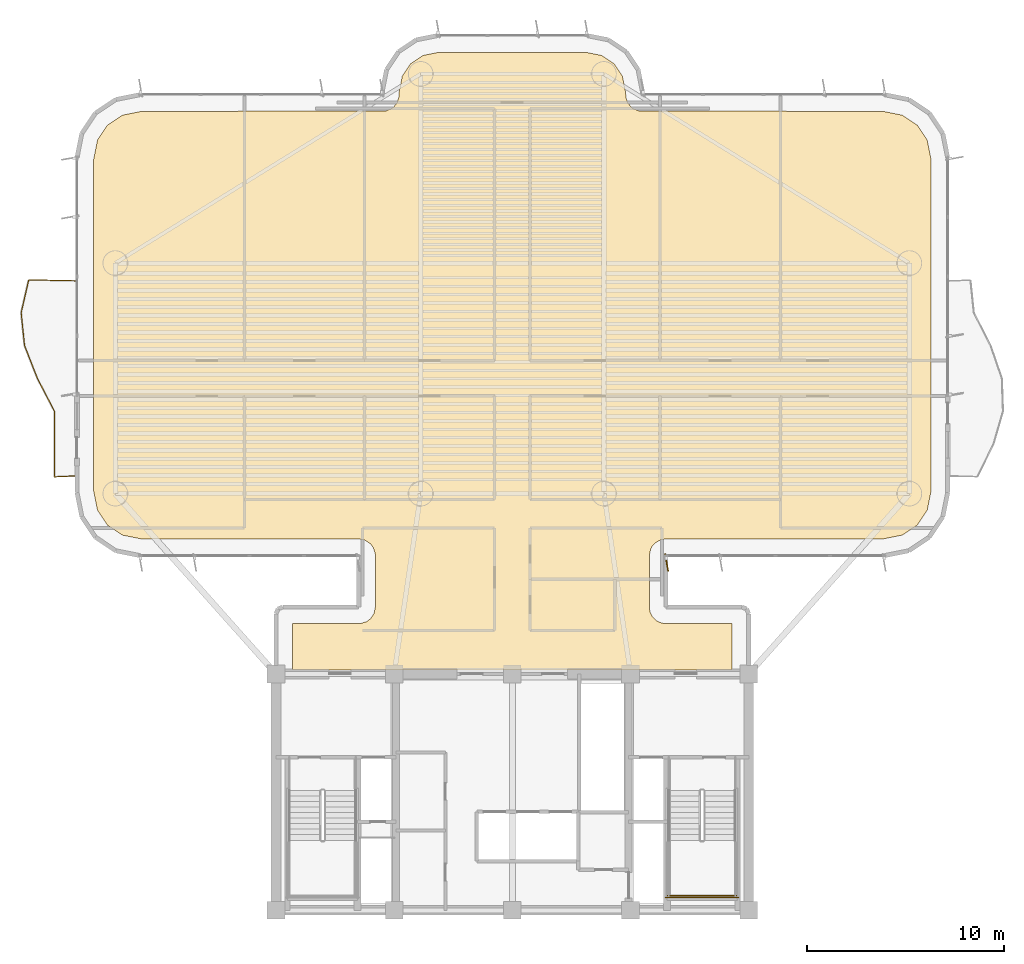
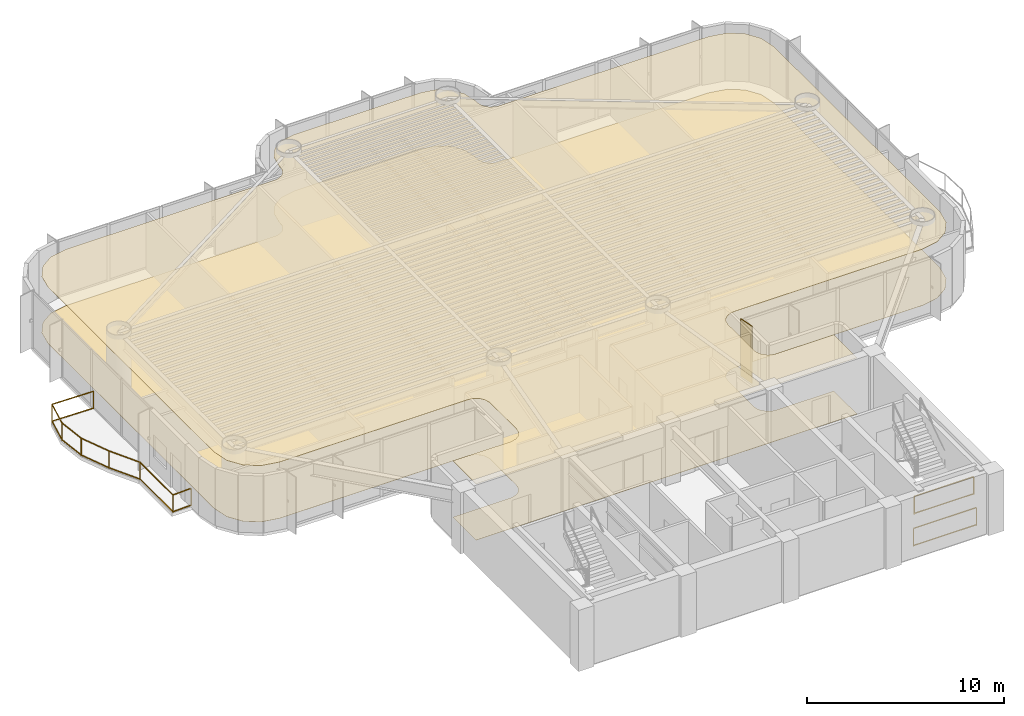
# One storey, part 14 of 16: 3 railings, 2 coverings, 1 shading device.
"""IFC4 building model written with IfcOpenShell, lengths in metres."""

from ifc_helpers import new_model, si_unit, direction, frame, origin, origin_2d, place, context, subcontext, project, spatial, polyline, rectangle, outline, extrude, source, transform, mapped, material, layer, layer_set, material_profile, profile_set, type_object, element, save


model = new_model("IFC4")

# Units and contexts
model_context = context("Model", 3, precision=1e-05, world=origin(), true_north=direction((0.0, 1.0)))
body_context = subcontext(model_context, "Body", "Model", "MODEL_VIEW")
ifc_project = project(units=[si_unit("LENGTHUNIT", "METRE"), si_unit("AREAUNIT", "SQUARE_METRE"), si_unit("VOLUMEUNIT", "CUBIC_METRE"), si_unit("PLANEANGLEUNIT", "RADIAN"), si_unit("MASSUNIT", "GRAM", prefix="KILO")], contexts=[model_context])

# Site, building, storey
site_placement = place(None, origin())
site = spatial("IfcSite", under=ifc_project, at=site_placement, CompositionType="ELEMENT")
building_placement = place(site_placement, origin())
building = spatial("IfcBuilding", under=site, at=building_placement, Name="Brelvock Crest Care Tower", CompositionType="ELEMENT")
storey_placement = place(building_placement, frame((0.0, 0.0, 108.719970703125)))
storey = spatial("IfcBuildingStorey", under=building, at=storey_placement, Name="L27", CompositionType="ELEMENT", Elevation=108.719970703125)

# Coverings
ifc_material_1 = material(Name="Mineral Fibre Acoustic Ceiling Tile", Category="gypsum")
ifc_layer_1 = layer(ifc_material_1, 0.02490234375, Name="COV-CLG1")
ifc_layer_set_1 = layer_set([ifc_layer_1], Name="Mineral Fibre Acoustic Ceiling Tile")
covering_type_1 = type_object("IfcCoveringType", Name="COV-CLG1", PredefinedType="CEILING", material=ifc_layer_set_1)
covering_1_placement = place(storey_placement, frame((0.0, 0.0, 3.47509765625)))
element("IfcCovering", 1, at=covering_1_placement, inside=storey, type_object=covering_type_1, Name="L27 Acoustic Suspended Ceiling 1", PredefinedType="CEILING", context=body_context, shape_type="SweptSolid", body=[
    extrude(outline(polyline([(24.85009765625, 18.199951171875), (47.14990234375, 18.199951171875), (47.14990234375, 20.550048828125), (43.716796875, 20.55419921875), (43.55322265625, 20.586669921875), (43.327880859375, 20.693359375), (43.09326171875, 20.927734375), (42.986572265625, 21.1533203125), (42.949951171875, 21.39990234375), (42.949951171875, 24.0), (43.0146484375, 24.3251953125), (43.09326171875, 24.47216796875), (43.2607421875, 24.656982421875), (43.55322265625, 24.8134765625), (43.800048828125, 24.85009765625), (54.81640625, 24.85009765625), (55.79296875, 25.044189453125), (56.5498046875, 25.550048828125), (57.0556640625, 26.30712890625), (57.25, 27.28369140625), (57.25, 44.1162109375), (57.0556640625, 45.093017578125), (56.5498046875, 45.849853515625), (55.79296875, 46.355712890625), (54.81640625, 46.550048828125), (42.43408203125, 46.56640625), (42.127685546875, 46.693359375), (41.9990234375, 46.799072265625), (41.850341796875, 46.999267578125), (41.766357421875, 47.234130859375), (41.75, 47.516357421875), (41.586181640625, 48.33984375), (41.1669921875, 48.967041015625), (40.539794921875, 49.38623046875), (39.71630859375, 49.550048828125), (32.28369140625, 49.550048828125), (31.460205078125, 49.38623046875), (30.8330078125, 48.967041015625), (30.413818359375, 48.33984375), (30.25, 47.516357421875), (30.233642578125, 47.234130859375), (30.149658203125, 46.999267578125), (30.0009765625, 46.799072265625), (29.872314453125, 46.693359375), (29.56591796875, 46.56640625), (17.18359375, 46.550048828125), (16.20703125, 46.355712890625), (15.4501953125, 45.849853515625), (14.9443359375, 45.093017578125), (14.75, 44.1162109375), (14.75, 27.28369140625), (14.9443359375, 26.30712890625), (15.4501953125, 25.550048828125), (16.20703125, 25.044189453125), (17.18359375, 24.85009765625), (28.199951171875, 24.85009765625), (28.525390625, 24.785400390625), (28.801025390625, 24.60107421875), (28.94970703125, 24.400634765625), (29.0458984375, 24.083251953125), (29.050048828125, 21.39990234375), (28.9853515625, 21.07470703125), (28.801025390625, 20.799072265625), (28.6005859375, 20.650390625), (28.283203125, 20.55419921875), (24.85009765625, 20.550048828125), (24.85009765625, 18.199951171875)])), origin(), (0.0, 0.0, 1.0), 0.02490234375),
])
ifc_material_2 = material(Name="Slip-Resistant Acoustic Vinyl Flooring", Category="finish")
ifc_layer_2 = layer(ifc_material_2, 0.014892578125, Name="COV-FLR1")
ifc_layer_set_2 = layer_set([ifc_layer_2], Name="Slip-Resistant Acoustic Vinyl Flooring")
covering_type_2 = type_object("IfcCoveringType", Name="COV-FLR1", PredefinedType="FLOORING", material=ifc_layer_set_2)
covering_2_placement = place(storey_placement, origin())
element("IfcCovering", 2, at=covering_2_placement, inside=storey, type_object=covering_type_2, Name="L27 Slip-Resistant Acoustic Flooring 1", PredefinedType="FLOORING", context=body_context, shape_type="SweptSolid", body=[
    extrude(outline(polyline([(24.85009765625, 18.199951171875), (47.14990234375, 18.199951171875), (47.14990234375, 20.550048828125), (43.716796875, 20.55419921875), (43.55322265625, 20.586669921875), (43.327880859375, 20.693359375), (43.09326171875, 20.927734375), (42.986572265625, 21.1533203125), (42.949951171875, 21.39990234375), (42.949951171875, 24.0), (43.0146484375, 24.3251953125), (43.09326171875, 24.47216796875), (43.2607421875, 24.656982421875), (43.55322265625, 24.8134765625), (43.800048828125, 24.85009765625), (54.81640625, 24.85009765625), (55.79296875, 25.044189453125), (56.5498046875, 25.550048828125), (57.0556640625, 26.30712890625), (57.25, 27.28369140625), (57.25, 44.1162109375), (57.0556640625, 45.093017578125), (56.5498046875, 45.849853515625), (55.79296875, 46.355712890625), (54.81640625, 46.550048828125), (42.43408203125, 46.56640625), (42.127685546875, 46.693359375), (41.9990234375, 46.799072265625), (41.850341796875, 46.999267578125), (41.766357421875, 47.234130859375), (41.75, 47.516357421875), (41.586181640625, 48.33984375), (41.1669921875, 48.967041015625), (40.539794921875, 49.38623046875), (39.71630859375, 49.550048828125), (32.28369140625, 49.550048828125), (31.460205078125, 49.38623046875), (30.8330078125, 48.967041015625), (30.413818359375, 48.33984375), (30.25, 47.516357421875), (30.233642578125, 47.234130859375), (30.149658203125, 46.999267578125), (30.0009765625, 46.799072265625), (29.872314453125, 46.693359375), (29.56591796875, 46.56640625), (17.18359375, 46.550048828125), (16.20703125, 46.355712890625), (15.4501953125, 45.849853515625), (14.9443359375, 45.093017578125), (14.75, 44.1162109375), (14.75, 27.28369140625), (14.9443359375, 26.30712890625), (15.4501953125, 25.550048828125), (16.20703125, 25.044189453125), (17.18359375, 24.85009765625), (28.199951171875, 24.85009765625), (28.525390625, 24.785400390625), (28.801025390625, 24.60107421875), (28.94970703125, 24.400634765625), (29.0458984375, 24.083251953125), (29.050048828125, 21.39990234375), (28.9853515625, 21.07470703125), (28.801025390625, 20.799072265625), (28.6005859375, 20.650390625), (28.283203125, 20.55419921875), (24.85009765625, 20.550048828125), (24.85009765625, 18.199951171875)])), origin(), (0.0, 0.0, 1.0), 0.01513671875),
])

# Railings
ifc_material_3 = material(Name="Dark Glass Double Glazed Low-E", Category="glass")
ifc_layer_3 = layer(ifc_material_3, 0.06005859375, Name="RL-BAL1")
ifc_layer_set_3 = layer_set([ifc_layer_3], Name="Dark Glass Double Glazed Low-E")
railing_type_1 = type_object("IfcRailingType", Name="RL-BAL1", PredefinedType="BALUSTRADE", material=ifc_layer_set_3)
railing_1_placement = place(storey_placement, frame((13.860107421875, 28.050048828125, 0.004150390625)))
element("IfcRailing", 3, at=railing_1_placement, inside=storey, type_object=railing_type_1, Name="L27 Safety Balustrade WB-W", PredefinedType="BALUSTRADE", context=body_context, shape_type="SweptSolid", body=[
    extrude(rectangle(XDim=0.048095703125, YDim=0.048095703125, at=origin_2d()), frame((-0.001953125, 0.0, 1.09619140625), z_axis=(-0.998966710972, -0.045447886318, 0.0), x_axis=(0.045447886318, -0.998966710972, 0.0)), (0.0, 0.0, 1.0), 1.09716796875),
    extrude(rectangle(XDim=0.048095703125, YDim=0.048095703125, at=origin_2d()), frame((-0.001953125, 0.0, 0.054931640625), z_axis=(-0.998966710972, -0.045447886318, 0.0), x_axis=(0.045447886318, -0.998966710972, 0.0)), (0.0, 0.0, 1.0), 1.09716796875),
    extrude(rectangle(XDim=0.048095703125, YDim=0.048095703125, at=origin_2d()), frame((-1.10009765625, -0.048095703125, 1.09619140625), z_axis=(-0.00014648795, 0.999999989271, 0.0), x_axis=(-0.999999989271, -0.00014648795, 0.0)), (0.0, 0.0, 1.0), 3.329345703125),
    extrude(rectangle(XDim=0.048095703125, YDim=0.048095703125, at=origin_2d()), frame((-1.10009765625, -0.048095703125, 0.054931640625), z_axis=(-0.00014648795, 0.999999989271, 0.0), x_axis=(-0.999999989271, -0.00014648795, 0.0)), (0.0, 0.0, 1.0), 3.329345703125),
    extrude(rectangle(XDim=0.048095703125, YDim=0.048095703125, at=origin_2d()), frame((-1.1015625, 3.284912109375, 1.09619140625), z_axis=(-0.46114401417, 0.887325305733, 0.0), x_axis=(-0.887325305733, -0.46114401417, 0.0)), (0.0, 0.0, 1.0), 1.87451171875),
    extrude(rectangle(XDim=0.048095703125, YDim=0.048095703125, at=origin_2d()), frame((-1.1015625, 3.284912109375, 0.054931640625), z_axis=(-0.46114401417, 0.887325305733, 0.0), x_axis=(-0.887325305733, -0.46114401417, 0.0)), (0.0, 0.0, 1.0), 1.87451171875),
    extrude(rectangle(XDim=0.048095703125, YDim=0.048095703125, at=origin_2d()), frame((-1.967529296875, 4.951904296875, 1.09619140625), z_axis=(-0.364466206994, 0.93121661495, 0.0), x_axis=(-0.93121661495, -0.364466206994, 0.0)), (0.0, 0.0, 1.0), 1.785888671875),
    extrude(rectangle(XDim=0.048095703125, YDim=0.048095703125, at=origin_2d()), frame((-1.967529296875, 4.951904296875, 0.054931640625), z_axis=(-0.364466206994, 0.93121661495, 0.0), x_axis=(-0.93121661495, -0.364466206994, 0.0)), (0.0, 0.0, 1.0), 1.785888671875),
    extrude(rectangle(XDim=0.048095703125, YDim=0.048095703125, at=origin_2d()), frame((-2.619384765625, 6.61865234375, 1.09619140625), z_axis=(-0.101148651987, 0.994871323439, 0.0), x_axis=(-0.994871323439, -0.101148651987, 0.0)), (0.0, 0.0, 1.0), 1.671142578125),
    extrude(rectangle(XDim=0.048095703125, YDim=0.048095703125, at=origin_2d()), frame((-2.619384765625, 6.61865234375, 0.054931640625), z_axis=(-0.101148651987, 0.994871323439, 0.0), x_axis=(-0.994871323439, -0.101148651987, 0.0)), (0.0, 0.0, 1.0), 1.671142578125),
    extrude(rectangle(XDim=0.048095703125, YDim=0.048095703125, at=origin_2d()), frame((-2.7880859375, 8.28515625, 1.09619140625), z_axis=(0.22439035679, 0.974499342114, 0.0), x_axis=(-0.974499342114, 0.22439035679, 0.0)), (0.0, 0.0, 1.0), 1.706298828125),
    extrude(rectangle(XDim=0.048095703125, YDim=0.048095703125, at=origin_2d()), frame((-2.7880859375, 8.28515625, 0.054931640625), z_axis=(0.22439035679, 0.974499342114, 0.0), x_axis=(-0.974499342114, 0.22439035679, 0.0)), (0.0, 0.0, 1.0), 1.706298828125),
    extrude(rectangle(XDim=0.048095703125, YDim=0.048095703125, at=origin_2d()), frame((-2.40283203125, 9.949951171875, 1.09619140625), z_axis=(0.999783496855, -0.020807676838, 0.0), x_axis=(0.020807676838, 0.999783496855, 0.0)), (0.0, 0.0, 1.0), 2.4013671875),
    extrude(rectangle(XDim=0.048095703125, YDim=0.048095703125, at=origin_2d()), frame((-2.40283203125, 9.949951171875, 0.054931640625), z_axis=(0.999783496855, -0.020807676838, 0.0), x_axis=(0.020807676838, 0.999783496855, 0.0)), (0.0, 0.0, 1.0), 2.4013671875),
    extrude(rectangle(XDim=0.0419921875, YDim=0.0419921875, at=origin_2d()), origin(), (0.0, 0.0, 1.0), 1.070068359375),
    extrude(rectangle(XDim=0.0419921875, YDim=0.0419921875, at=origin_2d()), frame((-1.10009765625, -0.050048828125, 0.0)), (0.0, 0.0, 1.0), 1.070068359375),
    extrude(rectangle(XDim=0.0419921875, YDim=0.0419921875, at=origin_2d()), frame((-1.1005859375, 3.283203125, 0.0)), (0.0, 0.0, 1.0), 1.070068359375),
    extrude(rectangle(XDim=0.0419921875, YDim=0.0419921875, at=origin_2d()), frame((-1.966796875, 4.949951171875, 0.0)), (0.0, 0.0, 1.0), 1.070068359375),
    extrude(rectangle(XDim=0.0419921875, YDim=0.0419921875, at=origin_2d()), frame((-2.619140625, 6.61669921875, 0.0)), (0.0, 0.0, 1.0), 1.070068359375),
    extrude(rectangle(XDim=0.0419921875, YDim=0.0419921875, at=origin_2d()), frame((-2.78857421875, 8.283203125, 0.0)), (0.0, 0.0, 1.0), 1.070068359375),
    extrude(rectangle(XDim=0.0419921875, YDim=0.0419921875, at=origin_2d()), frame((-2.40478515625, 9.949951171875, 0.0)), (0.0, 0.0, 1.0), 1.070068359375),
    extrude(rectangle(XDim=0.0419921875, YDim=0.0419921875, at=origin_2d()), frame((0.0, 9.89990234375, 0.0)), (0.0, 0.0, 1.0), 1.070068359375),
])
ifc_material_4 = material(Name="Steel Grade 350", Category="steel")
ifc_layer_4 = layer(ifc_material_4, 0.050048828125, Name="RL-STG1")
ifc_layer_set_4 = layer_set([ifc_layer_4], Name="Steel Grade 350")
railing_type_2 = type_object("IfcRailingType", Name="RL-STG1", PredefinedType="GUARDRAIL", material=ifc_layer_set_4)
railing_2_placement = place(storey_placement, frame((43.889892578125, 6.75, 1.89013671875)))
element("IfcRailing", 4, at=railing_2_placement, inside=storey, type_object=railing_type_2, Name="L27 ST-2 stair guard 5", PredefinedType="GUARDRAIL", context=body_context, shape_type="SweptSolid", body=[
    extrude(rectangle(XDim=0.048095703125, YDim=0.048095703125, at=origin_2d()), frame((0.001953125, 0.0, 1.11572265625), z_axis=(1.0, 0.0, 0.0), x_axis=(0.0, 1.0, 0.0)), (0.0, 0.0, 1.0), 3.476318359375),
    extrude(rectangle(XDim=0.048095703125, YDim=0.048095703125, at=origin_2d()), frame((0.001953125, 0.0, 0.054931640625), z_axis=(1.0, 0.0, 0.0), x_axis=(0.0, 1.0, 0.0)), (0.0, 0.0, 1.0), 3.476318359375),
    extrude(rectangle(XDim=0.0419921875, YDim=0.0419921875, at=origin_2d()), origin(), (0.0, 0.0, 1.0), 1.08984375),
    extrude(rectangle(XDim=0.0419921875, YDim=0.0419921875, at=origin_2d()), frame((3.480224609375, 0.0, 0.0)), (0.0, 0.0, 1.0), 1.08984375),
])
railing_3_placement = place(storey_placement, frame((43.7900390625, 6.64990234375, 0.0)))
element("IfcRailing", 5, at=railing_3_placement, inside=storey, type_object=railing_type_2, Name="L27 ST-2 stair guard 12", PredefinedType="GUARDRAIL", context=body_context, shape_type="SweptSolid", body=[
    extrude(rectangle(XDim=0.048095703125, YDim=0.048095703125, at=origin_2d()), frame((0.001953125, 0.0, 1.11572265625), z_axis=(1.0, 0.0, 0.0), x_axis=(0.0, 1.0, 0.0)), (0.0, 0.0, 1.0), 3.676025390625),
    extrude(rectangle(XDim=0.048095703125, YDim=0.048095703125, at=origin_2d()), frame((0.001953125, 0.0, 0.054931640625), z_axis=(1.0, 0.0, 0.0), x_axis=(0.0, 1.0, 0.0)), (0.0, 0.0, 1.0), 3.676025390625),
    extrude(rectangle(XDim=0.0419921875, YDim=0.0419921875, at=origin_2d()), origin(), (0.0, 0.0, 1.0), 1.08984375),
    extrude(rectangle(XDim=0.0419921875, YDim=0.0419921875, at=origin_2d()), frame((3.679931640625, 0.0, 0.0)), (0.0, 0.0, 1.0), 1.08984375),
])

# Shading device
ifc_material_5 = material(Name="Aluminium 6063-T6", Category="aluminium")
ifc_material_profile = material_profile(ifc_material_5, rectangle(XDim=0.054931640625, YDim=0.89990234375, at=origin_2d()), Name="FIN55x900")
ifc_profile_set = profile_set([ifc_material_profile], Name="Aluminium 6063-T6")
shading_device_type = type_object("IfcShadingDeviceType", Name="SHD-FIN1", PredefinedType="USERDEFINED", material=ifc_profile_set)
shared_shape = source(origin(), body_context, "Body", "SweptSolid", [
    extrude(rectangle(XDim=0.054931640625, YDim=0.89990234375, at=origin_2d()), origin(), (0.0, 0.0, 1.0), 3.530029296875),
])
shading_device_placement = place(storey_placement, frame((43.830078125, 23.659912109375, 0.0), z_axis=(0.0, 0.0, 1.0), x_axis=(-0.984807753012, -0.173648177667, 0.0)))
element("IfcShadingDevice", 6, at=shading_device_placement, inside=storey, type_object=shading_device_type, Name="L27 Vertical Sunshade Fin E44-05", ObjectType="FIN", PredefinedType="USERDEFINED", context=body_context, shape_type="MappedRepresentation", body=[
    mapped(shared_shape, transform((0.0, 0.0, 0.0), x_axis=(1.0, 0.0, 0.0), y_axis=(0.0, 1.0, 0.0), z_axis=(0.0, 0.0, 1.0), scale=1.0)),
])

save(model, "model.ifc")
